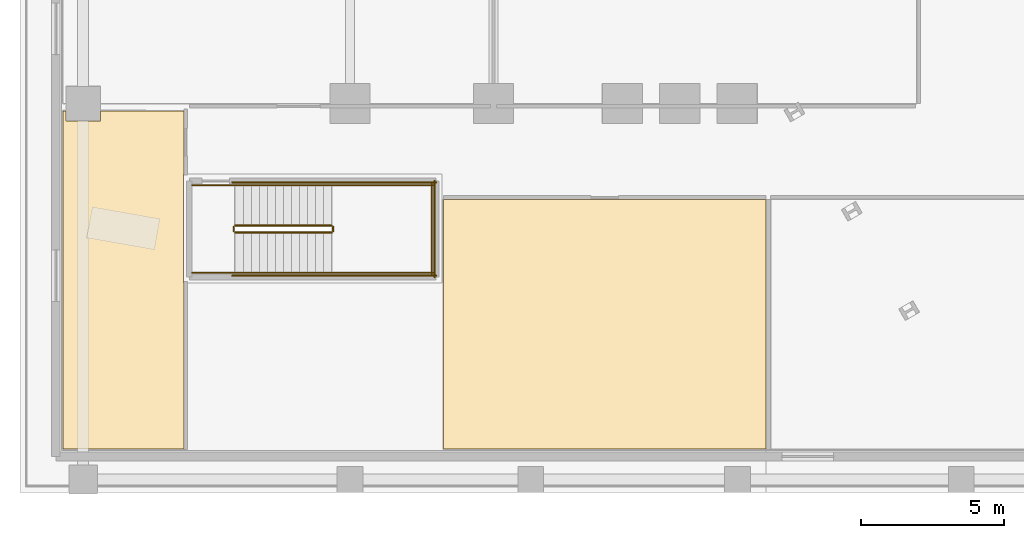
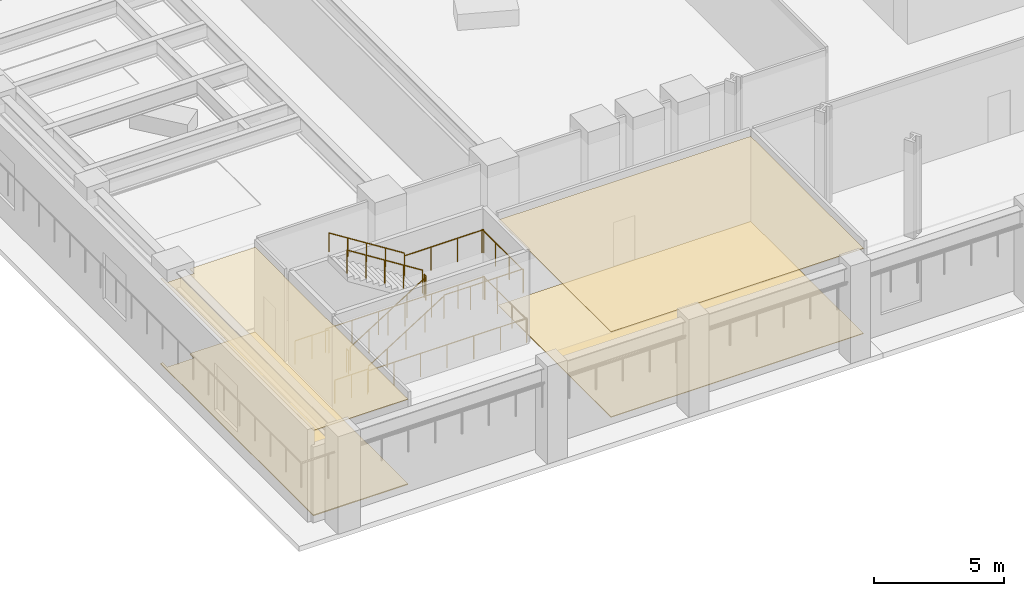
# One storey, part 9 of 18: 14 railings, 4 coverings.
"""IFC4 building model written with IfcOpenShell, lengths in metres."""

from ifc_helpers import new_model, si_unit, direction, frame, origin, origin_2d, place, context, subcontext, project, spatial, polyline, circle, outline, extrude, material, layer, layer_set, type_object, element, save


model = new_model("IFC4")

# Units and contexts
model_context = context("Model", 3, precision=1e-05, world=origin(), true_north=direction((0.0, 1.0)))
body_context = subcontext(model_context, "Body", "Model", "MODEL_VIEW")
ifc_project = project(units=[si_unit("LENGTHUNIT", "METRE"), si_unit("AREAUNIT", "SQUARE_METRE"), si_unit("VOLUMEUNIT", "CUBIC_METRE"), si_unit("PLANEANGLEUNIT", "RADIAN"), si_unit("MASSUNIT", "GRAM", prefix="KILO")], contexts=[model_context])

# Site, building, storey
site_placement = place(None, origin())
site = spatial("IfcSite", under=ifc_project, at=site_placement, CompositionType="ELEMENT")
building_placement = place(site_placement, origin())
building = spatial("IfcBuilding", under=site, at=building_placement, Name="Valkerne Bourse Tower", CompositionType="ELEMENT")
storey_placement = place(building_placement, frame((0.0, 0.0, 14.800048828125)))
storey = spatial("IfcBuildingStorey", under=building, at=storey_placement, Name="L03", CompositionType="ELEMENT", Elevation=14.800048828125)

# Coverings
ifc_material_1 = material(Name="Mineral Fiber Acoustic Ceiling Tile", Category="acoustic")
ifc_layer_1 = layer(ifc_material_1, 0.02490234375)
ifc_layer_set_1 = layer_set([ifc_layer_1], Name="Mineral Fiber Acoustic Ceiling Tile")
covering_type_1 = type_object("IfcCoveringType", Name="COV-CEIL-ACT", PredefinedType="CEILING", material=ifc_layer_set_1)
covering_1_placement = place(storey_placement, frame((0.0, 0.0, 4.010009765625)))
element("IfcCovering", 1, at=covering_1_placement, inside=storey, type_object=covering_type_1, Name="L03 Suspended Ceiling 01", PredefinedType="CEILING", context=body_context, shape_type="SweptSolid", body=[
    extrude(outline(polyline([(1.50390625, 13.2958984375), (1.595947265625, 13.2958984375), (1.595947265625, 12.946044921875), (2.803955078125, 12.946044921875), (2.803955078125, 13.2958984375), (5.716064453125, 13.2958984375), (5.716064453125, 11.10009765625), (5.699951171875, 11.10009765625), (5.699951171875, 7.300048828125), (5.716064453125, 7.300048828125), (5.716064453125, 1.50390625), (1.50390625, 1.50390625), (1.50390625, 13.2958984375)])), origin(), (0.0, 0.0, 1.0), 0.02490234375),
])
covering_2_placement = place(storey_placement, frame((0.0, 0.0, 4.010009765625)))
element("IfcCovering", 2, at=covering_2_placement, inside=storey, type_object=covering_type_1, Name="L03 Suspended Ceiling 02", PredefinedType="CEILING", context=body_context, shape_type="SweptSolid", body=[
    extrude(outline(polyline([(14.75390625, 10.196044921875), (25.99609375, 10.196044921875), (25.99609375, 1.50390625), (14.75390625, 1.50390625), (14.75390625, 10.196044921875)])), origin(), (0.0, 0.0, 1.0), 0.02490234375),
])
ifc_material_2 = material(Name="Galvanised Painted Steel", Category="steel")
ifc_layer_2 = layer(ifc_material_2, 0.044921875)
ifc_layer_set_2 = layer_set([ifc_layer_2], Name="Galvanised Painted Steel")
covering_type_2 = type_object("IfcCoveringType", Name="COV-FLR-RAF", PredefinedType="FLOORING", material=ifc_layer_set_2)
covering_3_placement = place(storey_placement, origin())
element("IfcCovering", 3, at=covering_3_placement, inside=storey, type_object=covering_type_2, Name="L03 Floor Finish 01", PredefinedType="FLOORING", context=body_context, shape_type="SweptSolid", body=[
    extrude(outline(polyline([(1.50390625, 13.2958984375), (1.595947265625, 13.2958984375), (1.595947265625, 12.946044921875), (2.803955078125, 12.946044921875), (2.803955078125, 13.2958984375), (5.716064453125, 13.2958984375), (5.716064453125, 11.10009765625), (5.699951171875, 11.10009765625), (5.699951171875, 7.300048828125), (5.716064453125, 7.300048828125), (5.716064453125, 1.50390625), (1.50390625, 1.50390625), (1.50390625, 13.2958984375)])), origin(), (0.0, 0.0, 1.0), 0.044921875),
])
ifc_material_3 = material(Name="Polished Granite Stone", Category="masonry")
ifc_layer_3 = layer(ifc_material_3, 0.030029296875)
ifc_layer_set_3 = layer_set([ifc_layer_3], Name="Polished Granite Stone")
covering_type_3 = type_object("IfcCoveringType", Name="COV-FLR-TERRAZZO", PredefinedType="FLOORING", material=ifc_layer_set_3)
covering_4_placement = place(storey_placement, origin())
element("IfcCovering", 4, at=covering_4_placement, inside=storey, type_object=covering_type_3, Name="L03 Floor Finish 02", PredefinedType="FLOORING", context=body_context, shape_type="SweptSolid", body=[
    extrude(outline(polyline([(14.75390625, 10.196044921875), (25.99609375, 10.196044921875), (25.99609375, 1.50390625), (14.75390625, 1.50390625), (14.75390625, 10.196044921875)])), origin(), (0.0, 0.0, 1.0), 0.030029296875),
])

# Railings
railing_type_1 = type_object("IfcRailingType", Name="RLG-ST-GUARD-1120", PredefinedType="GUARDRAIL", material=ifc_material_2)
railing_1_placement = place(storey_placement, frame((7.5, 9.050048828125, 0.1767578125)))
element("IfcRailing", 5, at=railing_1_placement, inside=storey, type_object=railing_type_1, Name="L03 ST-P1 stair guard 1", PredefinedType="GUARDRAIL", context=body_context, shape_type="SweptSolid", body=[
    extrude(circle(Radius=0.02392578125, at=origin_2d()), frame((0.0, 0.0, 1.09619140625), z_axis=(0.845361898145, 0.0, 0.534194029511), x_axis=(0.0, 1.0, 0.0)), (0.0, 0.0, 1.0), 3.974853515625),
    extrude(circle(Radius=0.02099609375, at=origin_2d()), origin(), (0.0, 0.0, 1.0), 1.072021484375),
    extrude(circle(Radius=0.02099609375, at=origin_2d()), frame((0.840087890625, 0.0, 0.53076171875)), (0.0, 0.0, 1.0), 1.072021484375),
    extrude(circle(Radius=0.02099609375, at=origin_2d()), frame((1.68017578125, 0.0, 1.0615234375)), (0.0, 0.0, 1.0), 1.072021484375),
    extrude(circle(Radius=0.02099609375, at=origin_2d()), frame((2.52001953125, 0.0, 1.592529296875)), (0.0, 0.0, 1.0), 1.072021484375),
    extrude(circle(Radius=0.02099609375, at=origin_2d()), frame((3.360107421875, 0.0, 2.123291015625)), (0.0, 0.0, 1.0), 1.072021484375),
])
railing_2_placement = place(storey_placement, frame((10.909912109375, 9.10009765625, 2.300048828125)))
element("IfcRailing", 6, at=railing_2_placement, inside=storey, type_object=railing_type_1, Name="L03 ST-P1 stair guard 2", PredefinedType="GUARDRAIL", context=body_context, shape_type="SweptSolid", body=[
    extrude(circle(Radius=0.02392578125, at=origin_2d()), frame((0.0, 0.0, 1.09619140625), z_axis=(0.0, 1.0, 0.0), x_axis=(-1.0, 0.0, 0.0)), (0.0, 0.0, 1.0), 0.14990234375),
    extrude(circle(Radius=0.02099609375, at=origin_2d()), origin(), (0.0, 0.0, 1.0), 1.072021484375),
    extrude(circle(Radius=0.02099609375, at=origin_2d()), frame((0.0, 0.14990234375, 0.0)), (0.0, 0.0, 1.0), 1.072021484375),
])
for number, where, name in (
    (7, (10.860107421875, 7.64990234375, 2.300048828125), "L03 ST-P1 stair guard 3"),
    (8, (10.860107421875, 10.699951171875, 2.300048828125), "L03 ST-P1 stair guard 4"),
):
    element("IfcRailing", number, at=place(storey_placement, frame(where)), inside=storey, type_object=railing_type_1, Name=name, PredefinedType="GUARDRAIL", context=body_context, shape_type="SweptSolid", body=[
        extrude(circle(Radius=0.02392578125, at=origin_2d()), frame((0.0, 0.0, 1.09619140625), z_axis=(1.0, 0.0, 0.0), x_axis=(0.0, 1.0, 0.0)), (0.0, 0.0, 1.0), 3.539794921875),
        extrude(circle(Radius=0.02099609375, at=origin_2d()), origin(), (0.0, 0.0, 1.0), 1.072021484375),
        extrude(circle(Radius=0.02099609375, at=origin_2d()), frame((1.179931640625, 0.0, 0.0)), (0.0, 0.0, 1.0), 1.072021484375),
        extrude(circle(Radius=0.02099609375, at=origin_2d()), frame((2.35986328125, 0.0, 0.0)), (0.0, 0.0, 1.0), 1.072021484375),
        extrude(circle(Radius=0.02099609375, at=origin_2d()), frame((3.539794921875, 0.0, 0.0)), (0.0, 0.0, 1.0), 1.072021484375),
    ])
railing_3_placement = place(storey_placement, frame((14.35009765625, 7.60009765625, 2.300048828125)))
element("IfcRailing", 9, at=railing_3_placement, inside=storey, type_object=railing_type_1, Name="L03 ST-P1 stair guard 5", PredefinedType="GUARDRAIL", context=body_context, shape_type="SweptSolid", body=[
    extrude(circle(Radius=0.02392578125, at=origin_2d()), frame((0.0, 0.0, 1.09619140625), z_axis=(0.0, 1.0, 0.0), x_axis=(-1.0, 0.0, 0.0)), (0.0, 0.0, 1.0), 3.14990234375),
    extrude(circle(Radius=0.02099609375, at=origin_2d()), origin(), (0.0, 0.0, 1.0), 1.072021484375),
    extrude(circle(Radius=0.02099609375, at=origin_2d()), frame((0.0, 1.050048828125, 0.0)), (0.0, 0.0, 1.0), 1.072021484375),
    extrude(circle(Radius=0.02099609375, at=origin_2d()), frame((0.0, 2.099853515625, 0.0)), (0.0, 0.0, 1.0), 1.072021484375),
    extrude(circle(Radius=0.02099609375, at=origin_2d()), frame((0.0, 3.14990234375, 0.0)), (0.0, 0.0, 1.0), 1.072021484375),
])
railing_4_placement = place(storey_placement, frame((10.860107421875, 9.300048828125, 2.476806640625)))
element("IfcRailing", 10, at=railing_4_placement, inside=storey, type_object=railing_type_1, Name="L03 ST-P1 stair guard 6", PredefinedType="GUARDRAIL", context=body_context, shape_type="SweptSolid", body=[
    extrude(circle(Radius=0.02392578125, at=origin_2d()), frame((0.0, 0.0, 1.09619140625), z_axis=(-0.845389635667, 0.0, 0.534150132366), x_axis=(0.0, -1.0, 0.0)), (0.0, 0.0, 1.0), 3.974609375),
    extrude(circle(Radius=0.02099609375, at=origin_2d()), origin(), (0.0, 0.0, 1.0), 1.072021484375),
    extrude(circle(Radius=0.02099609375, at=origin_2d()), frame((-0.840087890625, 0.0, 0.53076171875)), (0.0, 0.0, 1.0), 1.072021484375),
    extrude(circle(Radius=0.02099609375, at=origin_2d()), frame((-1.68017578125, 0.0, 1.0615234375)), (0.0, 0.0, 1.0), 1.072021484375),
    extrude(circle(Radius=0.02099609375, at=origin_2d()), frame((-2.52001953125, 0.0, 1.59228515625)), (0.0, 0.0, 1.0), 1.072021484375),
    extrude(circle(Radius=0.02099609375, at=origin_2d()), frame((-3.360107421875, 0.0, 2.123046875)), (0.0, 0.0, 1.0), 1.072021484375),
])
railing_5_placement = place(storey_placement, frame((7.449951171875, 9.10009765625, 0.0)))
element("IfcRailing", 11, at=railing_5_placement, inside=storey, type_object=railing_type_1, Name="L03 ST-P1 stair guard 7", PredefinedType="GUARDRAIL", context=body_context, shape_type="SweptSolid", body=[
    extrude(circle(Radius=0.02392578125, at=origin_2d()), frame((0.0, 0.0, 1.09619140625), z_axis=(0.0, 1.0, 0.0), x_axis=(-1.0, 0.0, 0.0)), (0.0, 0.0, 1.0), 0.14990234375),
    extrude(circle(Radius=0.02099609375, at=origin_2d()), origin(), (0.0, 0.0, 1.0), 1.072021484375),
    extrude(circle(Radius=0.02099609375, at=origin_2d()), frame((0.0, 0.14990234375, 0.0)), (0.0, 0.0, 1.0), 1.072021484375),
])
for number, where, name in (
    (12, (6.0, 7.64990234375, 0.0), "L03 ST-P1 stair guard 8"),
    (13, (6.0, 10.699951171875, 0.0), "L03 ST-P1 stair guard 9"),
):
    element("IfcRailing", number, at=place(storey_placement, frame(where)), inside=storey, type_object=railing_type_1, Name=name, PredefinedType="GUARDRAIL", context=body_context, shape_type="SweptSolid", body=[
        extrude(circle(Radius=0.02392578125, at=origin_2d()), frame((0.0, 0.0, 1.09619140625), z_axis=(1.0, 0.0, 0.0), x_axis=(0.0, 1.0, 0.0)), (0.0, 0.0, 1.0), 1.5),
        extrude(circle(Radius=0.02099609375, at=origin_2d()), origin(), (0.0, 0.0, 1.0), 1.072021484375),
        extrude(circle(Radius=0.02099609375, at=origin_2d()), frame((0.75, 0.0, 0.0)), (0.0, 0.0, 1.0), 1.072021484375),
        extrude(circle(Radius=0.02099609375, at=origin_2d()), frame((1.5, 0.0, 0.0)), (0.0, 0.0, 1.0), 1.072021484375),
    ])
for number, where, name in (
    (14, (7.39990234375, 7.550048828125, 0.0), "L03 ST-P1 stair guard 10"),
    (15, (7.39990234375, 10.800048828125, 0.0), "L03 ST-P1 stair guard 11"),
):
    element("IfcRailing", number, at=place(storey_placement, frame(where)), inside=storey, type_object=railing_type_1, Name=name, PredefinedType="GUARDRAIL", context=body_context, shape_type="SweptSolid", body=[
        extrude(circle(Radius=0.02392578125, at=origin_2d()), frame((0.0, 0.0, 1.09619140625), z_axis=(1.0, 0.0, 0.0), x_axis=(0.0, 1.0, 0.0)), (0.0, 0.0, 1.0), 7.10009765625),
        extrude(circle(Radius=0.02099609375, at=origin_2d()), origin(), (0.0, 0.0, 1.0), 1.072021484375),
        extrude(circle(Radius=0.02099609375, at=origin_2d()), frame((1.183349609375, 0.0, 0.0)), (0.0, 0.0, 1.0), 1.072021484375),
        extrude(circle(Radius=0.02099609375, at=origin_2d()), frame((2.36669921875, 0.0, 0.0)), (0.0, 0.0, 1.0), 1.072021484375),
        extrude(circle(Radius=0.02099609375, at=origin_2d()), frame((3.550048828125, 0.0, 0.0)), (0.0, 0.0, 1.0), 1.072021484375),
        extrude(circle(Radius=0.02099609375, at=origin_2d()), frame((4.7333984375, 0.0, 0.0)), (0.0, 0.0, 1.0), 1.072021484375),
        extrude(circle(Radius=0.02099609375, at=origin_2d()), frame((5.916748046875, 0.0, 0.0)), (0.0, 0.0, 1.0), 1.072021484375),
        extrude(circle(Radius=0.02099609375, at=origin_2d()), frame((7.10009765625, 0.0, 0.0)), (0.0, 0.0, 1.0), 1.072021484375),
    ])
railing_6_placement = place(storey_placement, frame((14.449951171875, 7.5, 0.0)))
element("IfcRailing", 16, at=railing_6_placement, inside=storey, type_object=railing_type_1, Name="L03 ST-P1 stair guard 12", PredefinedType="GUARDRAIL", context=body_context, shape_type="SweptSolid", body=[
    extrude(circle(Radius=0.02392578125, at=origin_2d()), frame((0.0, 0.0, 1.09619140625), z_axis=(0.0, 1.0, 0.0), x_axis=(-1.0, 0.0, 0.0)), (0.0, 0.0, 1.0), 3.35009765625),
    extrude(circle(Radius=0.02099609375, at=origin_2d()), origin(), (0.0, 0.0, 1.0), 1.072021484375),
    extrude(circle(Radius=0.02099609375, at=origin_2d()), frame((0.0, 1.11669921875, 0.0)), (0.0, 0.0, 1.0), 1.072021484375),
    extrude(circle(Radius=0.02099609375, at=origin_2d()), frame((0.0, 2.2333984375, 0.0)), (0.0, 0.0, 1.0), 1.072021484375),
    extrude(circle(Radius=0.02099609375, at=origin_2d()), frame((0.0, 3.35009765625, 0.0)), (0.0, 0.0, 1.0), 1.072021484375),
])
ifc_material_4 = material(Name="Stainless Steel AISI 316", Category="steel")
railing_type_2 = type_object("IfcRailingType", Name="RLG-ST-HANDRAIL-900", PredefinedType="HANDRAIL", material=ifc_material_4)
railing_7_placement = place(storey_placement, frame((7.5, 7.64990234375, 0.353759765625)))
element("IfcRailing", 17, at=railing_7_placement, inside=storey, type_object=railing_type_2, Name="L03 ST-P1 stair handrail 1", PredefinedType="HANDRAIL", context=body_context, shape_type="SweptSolid", body=[
    extrude(circle(Radius=0.02392578125, at=origin_2d()), frame((0.0, 0.0, 0.8759765625), z_axis=(0.845389635667, 0.0, 0.534150132366), x_axis=(0.0, 1.0, 0.0)), (0.0, 0.0, 1.0), 3.974609375),
    extrude(circle(Radius=0.02099609375, at=origin_2d()), origin(), (0.0, 0.0, 1.0), 0.851806640625),
    extrude(circle(Radius=0.02099609375, at=origin_2d()), frame((0.840087890625, 0.0, 0.53076171875)), (0.0, 0.0, 1.0), 0.851806640625),
    extrude(circle(Radius=0.02099609375, at=origin_2d()), frame((1.68017578125, 0.0, 1.0615234375)), (0.0, 0.0, 1.0), 0.851806640625),
    extrude(circle(Radius=0.02099609375, at=origin_2d()), frame((2.52001953125, 0.0, 1.59228515625)), (0.0, 0.0, 1.0), 0.851806640625),
    extrude(circle(Radius=0.02099609375, at=origin_2d()), frame((3.360107421875, 0.0, 2.123046875)), (0.0, 0.0, 1.0), 0.851806640625),
])
railing_8_placement = place(storey_placement, frame((10.860107421875, 10.699951171875, 2.65380859375)))
element("IfcRailing", 18, at=railing_8_placement, inside=storey, type_object=railing_type_2, Name="L03 ST-P1 stair handrail 2", PredefinedType="HANDRAIL", context=body_context, shape_type="SweptSolid", body=[
    extrude(circle(Radius=0.02392578125, at=origin_2d()), frame((0.0, 0.0, 0.8759765625), z_axis=(-0.845389635667, 0.0, 0.534150132366), x_axis=(0.0, -1.0, 0.0)), (0.0, 0.0, 1.0), 3.974609375),
    extrude(circle(Radius=0.02099609375, at=origin_2d()), origin(), (0.0, 0.0, 1.0), 0.851806640625),
    extrude(circle(Radius=0.02099609375, at=origin_2d()), frame((-0.840087890625, 0.0, 0.53076171875)), (0.0, 0.0, 1.0), 0.851806640625),
    extrude(circle(Radius=0.02099609375, at=origin_2d()), frame((-1.68017578125, 0.0, 1.0615234375)), (0.0, 0.0, 1.0), 0.851806640625),
    extrude(circle(Radius=0.02099609375, at=origin_2d()), frame((-2.52001953125, 0.0, 1.59228515625)), (0.0, 0.0, 1.0), 0.851806640625),
    extrude(circle(Radius=0.02099609375, at=origin_2d()), frame((-3.360107421875, 0.0, 2.123046875)), (0.0, 0.0, 1.0), 0.851806640625),
])

save(model, "model.ifc")
